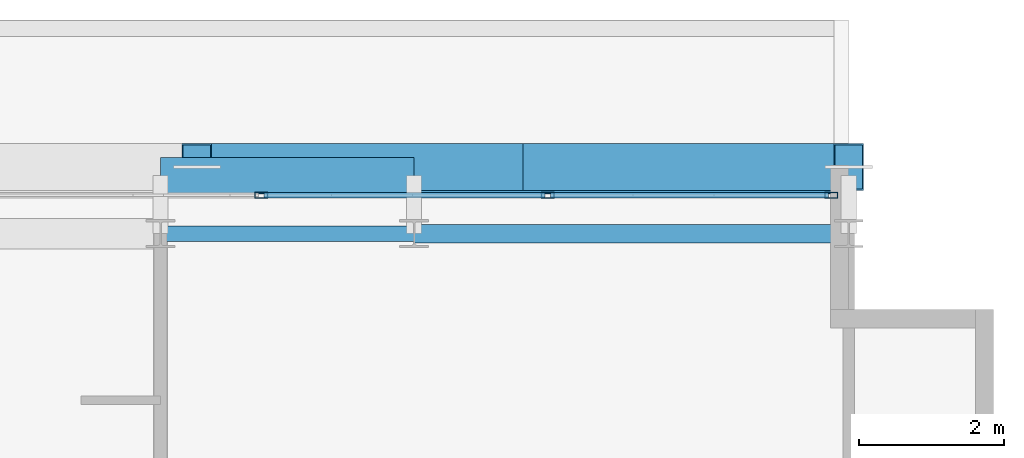
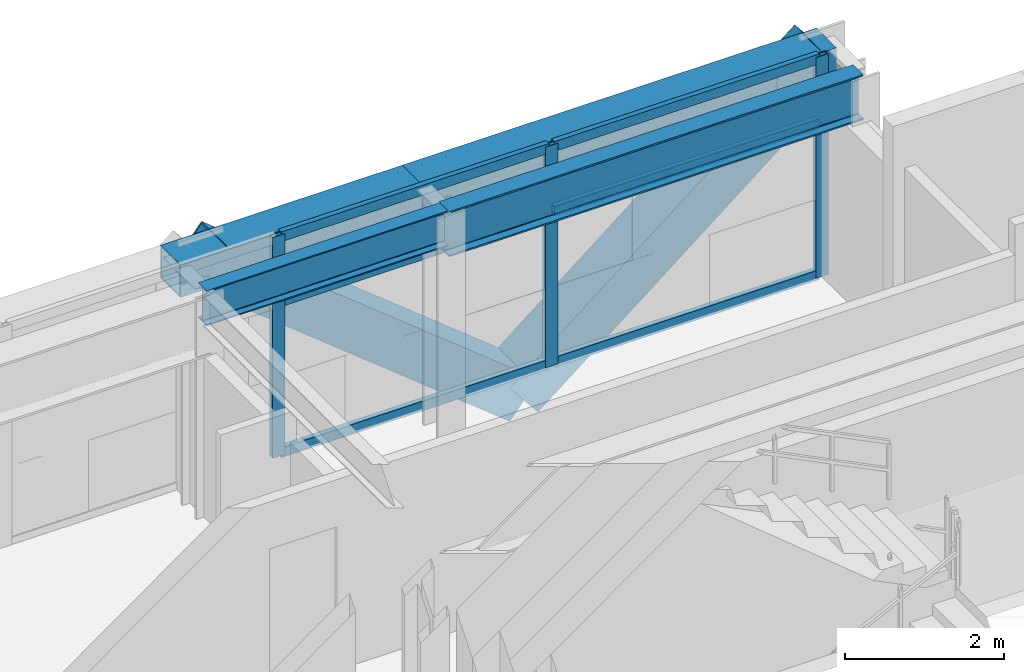
# One storey, part 15 of 27: 11 members, 4 beams, 1 element without a shape of its own.
"""IFC4 building model written with IfcOpenShell, lengths in metres."""

from ifc_helpers import new_model, si_unit, direction, frame, origin, origin_2d, place, context, subcontext, project, spatial, hollow_rectangle, i_section, extrude, source, transform, mapped, material, layer, layer_set, material_profile, profile_set, type_object, element, aggregate, save


model = new_model("IFC4")

# Units and contexts
model_context = context("Model", 3, precision=1e-05, world=origin(), true_north=direction((0.0, 1.0)))
body_context = subcontext(model_context, "Body", "Model", "MODEL_VIEW")
ifc_project = project(units=[si_unit("LENGTHUNIT", "METRE"), si_unit("AREAUNIT", "SQUARE_METRE"), si_unit("VOLUMEUNIT", "CUBIC_METRE"), si_unit("PLANEANGLEUNIT", "RADIAN"), si_unit("MASSUNIT", "GRAM", prefix="KILO")], contexts=[model_context])

# Site, building, storey
site_placement = place(None, origin())
site = spatial("IfcSite", under=ifc_project, at=site_placement, CompositionType="ELEMENT")
building_placement = place(site_placement, origin())
building = spatial("IfcBuilding", under=site, at=building_placement, Name="Ocotamira Hotel", CompositionType="ELEMENT")
storey_placement = place(building_placement, frame((0.0, 0.0, 232.800048828125)))
storey = spatial("IfcBuildingStorey", under=building, at=storey_placement, Name="L58", CompositionType="ELEMENT", Elevation=232.800048828125)

# Beams
ifc_material_1 = material(Name="Steel ASTM A992 Grade 50", Category="steel")
ifc_material_profile_1 = material_profile(ifc_material_1, i_section(OverallWidth=0.256103515625, OverallDepth=0.693115234375, WebThickness=0.014404296875, FlangeThickness=0.023681640625, FilletRadius=0.01611328125, at=origin_2d()), Name="W27X114")
ifc_profile_set_1 = profile_set([ifc_material_profile_1], Name="Steel ASTM A992 Grade 50")
beam_type_1 = type_object("IfcBeamType", Name="BM-PRIM-W27X114", PredefinedType="BEAM", material=ifc_profile_set_1)
shared_shape_1 = source(origin(), body_context, "Body", "SweptSolid", [
    extrude(i_section(OverallWidth=0.256103515625, OverallDepth=0.693115234375, WebThickness=0.014404296875, FlangeThickness=0.023681640625, FilletRadius=0.01611328125, at=origin_2d()), origin(), (0.0, 0.0, 1.0), 6.0),
])
beam_1_placement = place(storey_placement, frame((44.0, 43.050048828125, 3.033447265625), z_axis=(1.0, 0.0, 0.0), x_axis=(0.0, 1.0, 0.0)))
element("IfcBeam", 1, at=beam_1_placement, inside=storey, type_object=beam_type_1, Name="L58 Girder Y43.05 X44-50", PredefinedType="BEAM", context=body_context, shape_type="MappedRepresentation", body=[
    mapped(shared_shape_1, transform((0.0, 0.0, 0.0), scale=1.0)),
])
ifc_material_profile_2 = material_profile(ifc_material_1, i_section(OverallWidth=0.2099609375, OverallDepth=0.537109375, WebThickness=0.010986328125, FlangeThickness=0.017333984375, FilletRadius=0.012939453125, at=origin_2d()), Name="W21X68")
ifc_profile_set_2 = profile_set([ifc_material_profile_2], Name="Steel ASTM A992 Grade 50")
beam_type_2 = type_object("IfcBeamType", Name="BM-SEC-W21X68", PredefinedType="JOIST", material=ifc_profile_set_2)
shared_shape_2 = source(origin(), body_context, "Body", "SweptSolid", [
    extrude(i_section(OverallWidth=0.2099609375, OverallDepth=0.537109375, WebThickness=0.010986328125, FlangeThickness=0.017333984375, FilletRadius=0.012939453125, at=origin_2d()), origin(), (0.0, 0.0, 1.0), 3.5),
])
beam_2_placement = place(storey_placement, frame((40.5, 43.050048828125, 3.111572265625), z_axis=(1.0, 0.0, 0.0), x_axis=(0.0, 1.0, 0.0)))
element("IfcBeam", 2, at=beam_2_placement, inside=storey, type_object=beam_type_2, Name="L58 Girder Y43.05 X40.5-44", PredefinedType="JOIST", context=body_context, shape_type="MappedRepresentation", body=[
    mapped(shared_shape_2, transform((0.0, 0.0, 0.0), scale=1.0)),
])
ifc_material_2 = material(Name="Steel ASTM A500 Grade C", Category="steel")
ifc_material_profile_3 = material_profile(ifc_material_2, hollow_rectangle(XDim=0.5, YDim=0.5, WallThickness=0.02001953125, at=origin_2d()), Name="HSS500X500X20")
ifc_profile_set_3 = profile_set([ifc_material_profile_3], Name="Steel ASTM A500 Grade C")
beam_type_3 = type_object("IfcBeamType", Name="BM-SPAN-HSS500", PredefinedType="USERDEFINED", material=ifc_profile_set_3)
shared_shape_3 = source(origin(), body_context, "Body", "SweptSolid", [
    extrude(hollow_rectangle(XDim=0.5, YDim=0.5, WallThickness=0.02001953125, at=origin_2d()), origin(), (0.0, 0.0, 1.0), 6.0),
])
beam_3_placement = place(storey_placement, frame((44.0, 43.85009765625, 3.1298828125), z_axis=(1.0, 0.0, 0.0), x_axis=(0.0, 1.0, 0.0)))
element("IfcBeam", 3, at=beam_3_placement, inside=storey, type_object=beam_type_3, Name="L58 Edge Spandrel N X44-50", ObjectType="SPANDREL", PredefinedType="USERDEFINED", context=body_context, shape_type="MappedRepresentation", body=[
    mapped(shared_shape_3, transform((0.0, 0.0, 0.0), scale=1.0)),
])
shared_shape_4 = source(origin(), body_context, "Body", "SweptSolid", [
    extrude(hollow_rectangle(XDim=0.5, YDim=0.5, WallThickness=0.02001953125, at=origin_2d()), origin(), (0.0, 0.0, 1.0), 3.5),
])
beam_4_placement = place(storey_placement, frame((40.5, 43.85009765625, 3.1298828125), z_axis=(1.0, 0.0, 0.0), x_axis=(0.0, 1.0, 0.0)))
element("IfcBeam", 4, at=beam_4_placement, inside=storey, type_object=beam_type_3, Name="L58 Edge Spandrel N X40.5-44", ObjectType="SPANDREL", PredefinedType="USERDEFINED", context=body_context, shape_type="MappedRepresentation", body=[
    mapped(shared_shape_4, transform((0.0, 0.0, 0.0), scale=1.0)),
])

# Members
ifc_material_3 = material(Name="Pale-metal coated steel ASTM A913 Grade 65", Category="steel")
ifc_material_profile_4 = material_profile(ifc_material_3, hollow_rectangle(XDim=0.64990234375, YDim=0.64990234375, WallThickness=0.02197265625, at=origin_2d()), Name="BOX650X650X22")
ifc_profile_set_4 = profile_set([ifc_material_profile_4], Name="Pale-metal coated steel ASTM A913 Grade 65")
member_type_1 = type_object("IfcMemberType", Name="MEM-EXO-BOX650", PredefinedType="BRACE", material=ifc_profile_set_4)
shared_shape_5 = source(origin(), body_context, "Body", "SweptSolid", [
    extrude(hollow_rectangle(XDim=0.64990234375, YDim=0.64990234375, WallThickness=0.02197265625, at=origin_2d()), origin(), (0.0, 0.0, 1.0), 5.7626953125),
])
for number, where, z_axis, x_axis, name in (
    (5, (45.5, 43.969970703125, -0.469970703125), (-0.780881208953, 0.0, 0.624679547852), (0.0, -1.0, 0.0), "L58 Exoskeleton Diagrid N3.1"),
    (6, (45.5, 43.969970703125, -0.469970703125), (0.780881208953, 0.0, 0.624679547852), (0.0, 1.0, 0.0), "L58 Exoskeleton Diagrid N3.2"),
):
    element("IfcMember", number, at=place(storey_placement, frame(where, z_axis=z_axis, x_axis=x_axis)), inside=storey, type_object=member_type_1, Name=name, PredefinedType="BRACE", context=body_context, shape_type="MappedRepresentation", body=[
        mapped(shared_shape_5, transform((0.0, 0.0, 0.0), scale=1.0)),
    ])

# Curtain wall, members
ifc_material_4 = material(Name="Anodised pale-metal aluminium and solar glass", Category="aluminium")
ifc_layer = layer(ifc_material_4, 0.239990234375)
ifc_layer_set = layer_set([ifc_layer], Name="Anodised pale-metal aluminium and solar glass")
curtain_wall_type = type_object("IfcCurtainWallType", Name="CW-SYS5-SKY", PredefinedType="NOTDEFINED", material=ifc_layer_set)
curtain_wall_placement = place(storey_placement, origin())
curtain_wall = element("IfcCurtainWall", 7, at=curtain_wall_placement, inside=storey, type_object=curtain_wall_type, Name="L58 Curtain Wall CW-5 CW-L58-N", PredefinedType="NOTDEFINED")
ifc_material_5 = material(Name="Anodised pale-metal aluminium 6063-T6", Category="aluminium")
ifc_material_profile_5 = material_profile(ifc_material_5, hollow_rectangle(XDim=0.074951171875, YDim=0.14990234375, WallThickness=0.006103515625, at=origin_2d()), Name="HSS150X75X6")
ifc_profile_set_5 = profile_set([ifc_material_profile_5], Name="Anodised pale-metal aluminium 6063-T6")
member_type_2 = type_object("IfcMemberType", Name="CWT-150X75", PredefinedType="USERDEFINED", material=ifc_profile_set_5)
shared_shape_6 = source(origin(), body_context, "Body", "SweptSolid", [
    extrude(hollow_rectangle(XDim=0.074951171875, YDim=0.14990234375, WallThickness=0.006103515625, at=origin_2d()), origin(), (0.0, 0.0, 1.0), 3.83544921875),
])
member_1_placement = place(storey_placement, frame((45.884521484375, 43.580078125, 0.037353515625), z_axis=(1.0, 0.0, 0.0), x_axis=(0.0, 1.0, 0.0)))
member_1 = element("IfcMember", 8, at=member_1_placement, type_object=member_type_2, Name="CW-5 transom 9.1", ObjectType="TRANSOM", PredefinedType="USERDEFINED", context=body_context, shape_type="MappedRepresentation", body=[
    mapped(shared_shape_6, transform((0.0, 0.0, 0.0), scale=1.0)),
])
member_2_placement = place(storey_placement, frame((45.884521484375, 43.580078125, 2.349853515625), z_axis=(1.0, 0.0, 0.0), x_axis=(0.0, 1.0, 0.0)))
member_2 = element("IfcMember", 9, at=member_2_placement, type_object=member_type_2, Name="CW-5 transom 9.2", ObjectType="TRANSOM", PredefinedType="USERDEFINED", context=body_context, shape_type="MappedRepresentation", body=[
    mapped(shared_shape_6, transform((0.0, 0.0, 0.0), scale=1.0)),
])
member_3_placement = place(storey_placement, frame((45.884521484375, 43.580078125, 3.342529296875), z_axis=(1.0, 0.0, 0.0), x_axis=(0.0, 1.0, 0.0)))
member_3 = element("IfcMember", 10, at=member_3_placement, type_object=member_type_2, Name="CW-5 transom 9.3", ObjectType="TRANSOM", PredefinedType="USERDEFINED", context=body_context, shape_type="MappedRepresentation", body=[
    mapped(shared_shape_6, transform((0.0, 0.0, 0.0), scale=1.0)),
])
shared_shape_7 = source(origin(), body_context, "Body", "SweptSolid", [
    extrude(hollow_rectangle(XDim=0.074951171875, YDim=0.14990234375, WallThickness=0.006103515625, at=origin_2d()), origin(), (0.0, 0.0, 1.0), 3.87548828125),
])
member_4_placement = place(storey_placement, frame((41.928955078125, 43.580078125, 0.037353515625), z_axis=(1.0, 0.0, 0.0), x_axis=(0.0, 1.0, 0.0)))
member_4 = element("IfcMember", 11, at=member_4_placement, type_object=member_type_2, Name="CW-5 transom 8.1", ObjectType="TRANSOM", PredefinedType="USERDEFINED", context=body_context, shape_type="MappedRepresentation", body=[
    mapped(shared_shape_7, transform((0.0, 0.0, 0.0), scale=1.0)),
])
member_5_placement = place(storey_placement, frame((41.928955078125, 43.580078125, 2.349853515625), z_axis=(1.0, 0.0, 0.0), x_axis=(0.0, 1.0, 0.0)))
member_5 = element("IfcMember", 12, at=member_5_placement, type_object=member_type_2, Name="CW-5 transom 8.2", ObjectType="TRANSOM", PredefinedType="USERDEFINED", context=body_context, shape_type="MappedRepresentation", body=[
    mapped(shared_shape_7, transform((0.0, 0.0, 0.0), scale=1.0)),
])
member_6_placement = place(storey_placement, frame((41.928955078125, 43.580078125, 3.342529296875), z_axis=(1.0, 0.0, 0.0), x_axis=(0.0, 1.0, 0.0)))
member_6 = element("IfcMember", 13, at=member_6_placement, type_object=member_type_2, Name="CW-5 transom 8.3", ObjectType="TRANSOM", PredefinedType="USERDEFINED", context=body_context, shape_type="MappedRepresentation", body=[
    mapped(shared_shape_7, transform((0.0, 0.0, 0.0), scale=1.0)),
])
ifc_material_profile_6 = material_profile(ifc_material_5, hollow_rectangle(XDim=0.080078125, YDim=0.179931640625, WallThickness=0.006103515625, at=origin_2d()), Name="HSS180X80X6")
ifc_profile_set_6 = profile_set([ifc_material_profile_6], Name="Anodised pale-metal aluminium 6063-T6")
member_type_3 = type_object("IfcMemberType", Name="CWM-180X75", PredefinedType="MULLION", material=ifc_profile_set_6)
shared_shape_8 = source(origin(), body_context, "Body", "SweptSolid", [
    extrude(hollow_rectangle(XDim=0.080078125, YDim=0.179931640625, WallThickness=0.006103515625, at=origin_2d()), origin(), (0.0, 0.0, 1.0), 3.3798828125),
])
member_7_placement = place(storey_placement, frame((41.888916015625, 43.580078125, 0.0), z_axis=(0.0, 0.0, 1.0), x_axis=(0.0, 1.0, 0.0)))
member_7 = element("IfcMember", 14, at=member_7_placement, type_object=member_type_3, Name="CW-5 mullion 8", PredefinedType="MULLION", context=body_context, shape_type="MappedRepresentation", body=[
    mapped(shared_shape_8, transform((0.0, 0.0, 0.0), scale=1.0)),
])
member_8_placement = place(storey_placement, frame((45.844482421875, 43.580078125, 0.0), z_axis=(0.0, 0.0, 1.0), x_axis=(0.0, 1.0, 0.0)))
member_8 = element("IfcMember", 15, at=member_8_placement, type_object=member_type_3, Name="CW-5 mullion 9", PredefinedType="MULLION", context=body_context, shape_type="MappedRepresentation", body=[
    mapped(shared_shape_8, transform((0.0, 0.0, 0.0), scale=1.0)),
])
member_9_placement = place(storey_placement, frame((49.760009765625, 43.580078125, 0.0), z_axis=(0.0, 0.0, 1.0), x_axis=(0.0, 1.0, 0.0)))
member_9 = element("IfcMember", 16, at=member_9_placement, type_object=member_type_3, Name="CW-5 mullion 10", PredefinedType="MULLION", context=body_context, shape_type="MappedRepresentation", body=[
    mapped(shared_shape_8, transform((0.0, 0.0, 0.0), scale=1.0)),
])
aggregate(curtain_wall, [member_7, member_8, member_9, member_4, member_5, member_6, member_1, member_2, member_3])

save(model, "model.ifc")
